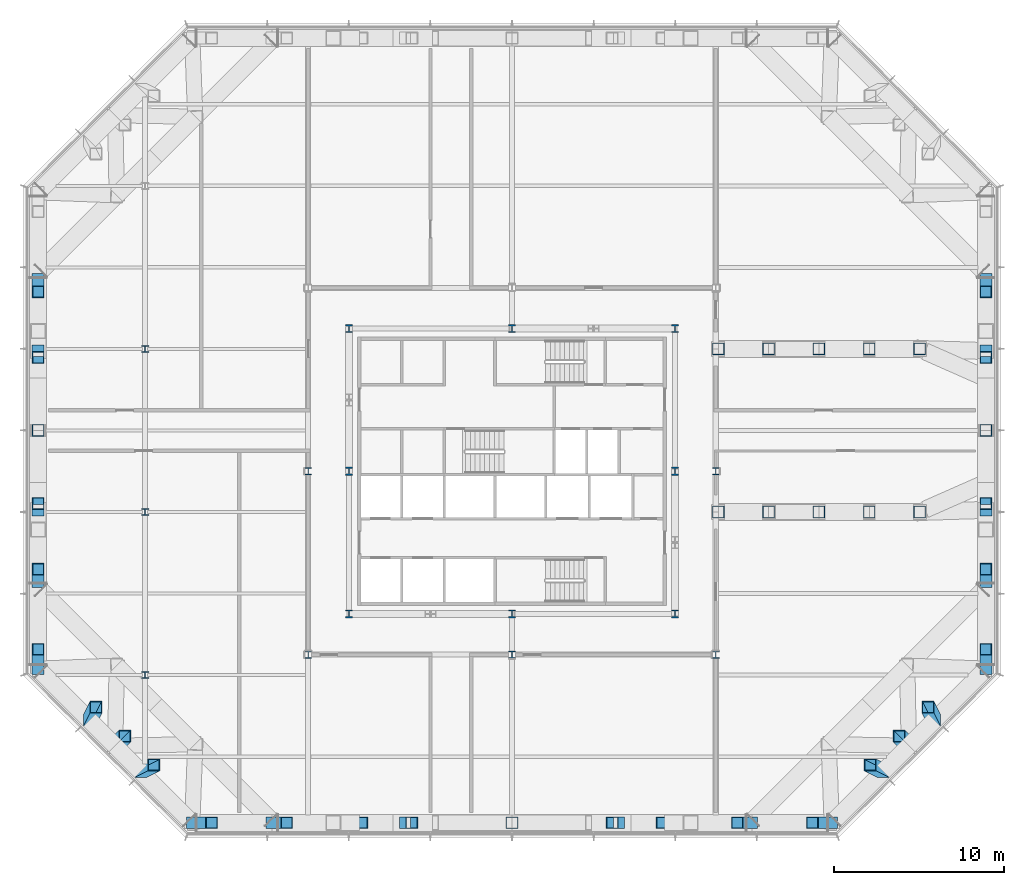
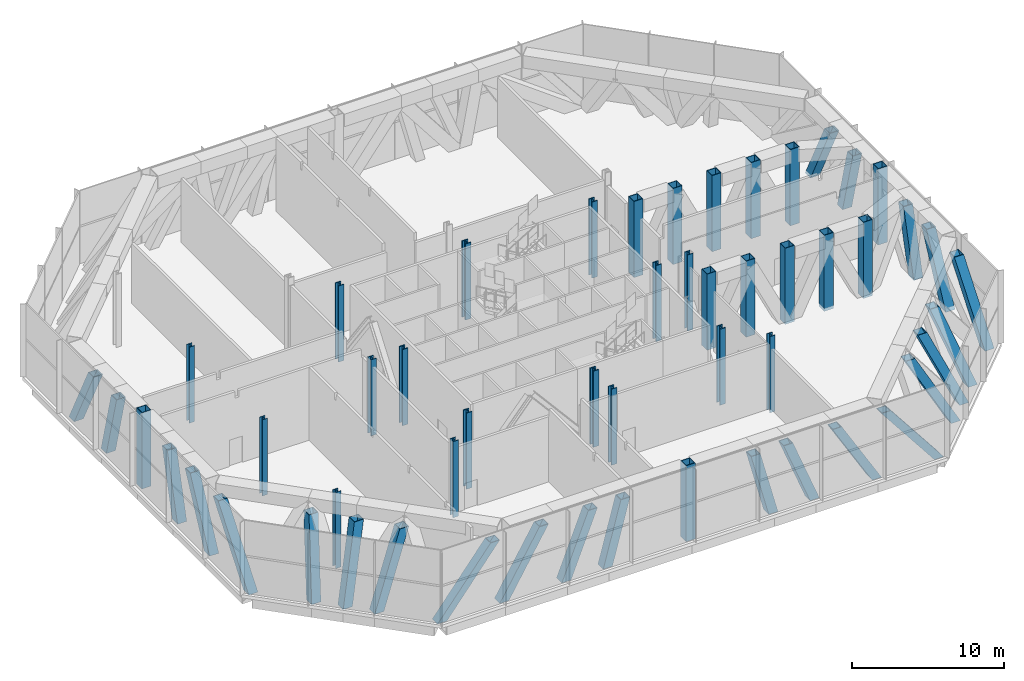
# One storey, part 1 of 17: 53 columns.
"""IFC4 building model written with IfcOpenShell, lengths in metres."""

from ifc_helpers import new_model, si_unit, direction, frame, origin, origin_2d, place, context, subcontext, project, spatial, hollow_rectangle, i_section, extrude, clip, halfspace, material, material_profile, profile_set, type_object, element, save


model = new_model("IFC4")

# Units and contexts
model_context = context("Model", 3, precision=1e-05, world=origin(), true_north=direction((0.0, 1.0)))
body_context = subcontext(model_context, "Body", "Model", "MODEL_VIEW")
ifc_project = project(units=[si_unit("LENGTHUNIT", "METRE"), si_unit("AREAUNIT", "SQUARE_METRE"), si_unit("VOLUMEUNIT", "CUBIC_METRE"), si_unit("PLANEANGLEUNIT", "RADIAN"), si_unit("MASSUNIT", "GRAM", prefix="KILO")], contexts=[model_context])

# Site, building, storey
site_placement = place(None, origin())
site = spatial("IfcSite", under=ifc_project, at=site_placement, CompositionType="ELEMENT")
building_placement = place(site_placement, origin())
building = spatial("IfcBuilding", under=site, at=building_placement, Name="Cairn Pilgrim Tower", CompositionType="ELEMENT")
storey_placement = place(building_placement, frame((0.0, 0.0, 119.39990234375)))
storey = spatial("IfcBuildingStorey", under=building, at=storey_placement, Name="L29", CompositionType="ELEMENT", Elevation=119.39990234375)

# Columns
ifc_material_1 = material(Name="Structural steel S460M", Category="steel")
ifc_material_profile_1 = material_profile(ifc_material_1, hollow_rectangle(XDim=0.699951171875, YDim=0.699951171875, WallThickness=0.0400390625, at=origin_2d()), Name="BOX 700x700x40")
ifc_profile_set_1 = profile_set([ifc_material_profile_1], Name="Structural steel S460M")
column_type_1 = type_object("IfcColumnType", Name="BOX 700x700x40 POST", PredefinedType="USERDEFINED", material=ifc_profile_set_1)
column_1_placement = place(storey_placement, frame((-11.627197265625, -18.300048828125, -0.25), z_axis=(0.0, 0.0, 1.0), x_axis=(1.0, 0.0, 0.0)))
element("IfcColumn", 1, at=column_1_placement, inside=storey, type_object=column_type_1, Name="BT29-S-P1", ObjectType="POST", PredefinedType="USERDEFINED", context=body_context, shape_type="Clipping", body=[
    clip(extrude(hollow_rectangle(XDim=0.699951171875, YDim=0.699951171875, WallThickness=0.0400390625, at=origin_2d()), origin(), (0.618388132259, 0.0, 0.785872838239), 7.76220703125), halfspace(frame((0.0, 0.0, 5.10009765625), z_axis=(0.0, 0.0, 1.0), x_axis=(1.0, 0.0, 0.0)), False)),
])
column_2_placement = place(storey_placement, frame((-6.92041015625, -18.300048828125, -0.25), z_axis=(0.0, 0.0, 1.0), x_axis=(1.0, 0.0, 0.0)))
element("IfcColumn", 2, at=column_2_placement, inside=storey, type_object=column_type_1, Name="BT29-S-P2", ObjectType="POST", PredefinedType="USERDEFINED", context=body_context, shape_type="Clipping", body=[
    clip(extrude(hollow_rectangle(XDim=0.699951171875, YDim=0.699951171875, WallThickness=0.0400390625, at=origin_2d()), origin(), (0.508257775322, 0.0, 0.861204989433), 7.083251953125), halfspace(frame((0.0, 0.0, 5.10009765625), z_axis=(0.0, 0.0, 1.0), x_axis=(1.0, 0.0, 0.0)), False)),
])
column_3_placement = place(storey_placement, frame((-2.213623046875, -18.300048828125, -0.25), z_axis=(0.0, 0.0, 1.0), x_axis=(1.0, 0.0, 0.0)))
element("IfcColumn", 3, at=column_3_placement, inside=storey, type_object=column_type_1, Name="BT29-S-P3", ObjectType="POST", PredefinedType="USERDEFINED", context=body_context, shape_type="Clipping", body=[
    clip(extrude(hollow_rectangle(XDim=0.699951171875, YDim=0.699951171875, WallThickness=0.0400390625, at=origin_2d()), origin(), (0.366106332628, 0.0, 0.930573024115), 6.55517578125), halfspace(frame((0.0, 0.0, 5.10009765625), z_axis=(0.0, 0.0, 1.0), x_axis=(1.0, 0.0, 0.0)), False)),
])
column_4_placement = place(storey_placement, frame((0.92431640625, -18.300048828125, -0.25), z_axis=(0.0, 0.0, 1.0), x_axis=(1.0, 0.0, 0.0)))
element("IfcColumn", 4, at=column_4_placement, inside=storey, type_object=column_type_1, Name="BT29-S-P4", ObjectType="POST", PredefinedType="USERDEFINED", context=body_context, shape_type="Clipping", body=[
    clip(extrude(hollow_rectangle(XDim=0.699951171875, YDim=0.699951171875, WallThickness=0.0400390625, at=origin_2d()), origin(), (0.253723376456, 0.0, 0.967276820894), 6.306396484375), halfspace(frame((0.0, 0.0, 5.10009765625), z_axis=(0.0, 0.0, 1.0), x_axis=(1.0, 0.0, 0.0)), False)),
])
column_5_placement = place(storey_placement, frame((7.199951171875, -18.300048828125, -0.25), z_axis=(0.0, 0.0, 1.0), x_axis=(1.0, 0.0, 0.0)))
element("IfcColumn", 5, at=column_5_placement, inside=storey, type_object=column_type_1, Name="BT29-S-P5", ObjectType="POST", PredefinedType="USERDEFINED", context=body_context, shape_type="SweptSolid", body=[
    extrude(hollow_rectangle(XDim=0.699951171875, YDim=0.699951171875, WallThickness=0.0400390625, at=origin_2d()), origin(), (0.0, 0.0, 1.0), 6.10009765625),
])
column_6_placement = place(storey_placement, frame((13.4755859375, -18.300048828125, -0.25), z_axis=(0.0, 0.0, 1.0), x_axis=(1.0, 0.0, 0.0)))
element("IfcColumn", 6, at=column_6_placement, inside=storey, type_object=column_type_1, Name="BT29-S-P6", ObjectType="POST", PredefinedType="USERDEFINED", context=body_context, shape_type="Clipping", body=[
    clip(extrude(hollow_rectangle(XDim=0.699951171875, YDim=0.699951171875, WallThickness=0.0400390625, at=origin_2d()), origin(), (-0.253687155326, 0.0, 0.967286321222), 6.306396484375), halfspace(frame((0.0, 0.0, 5.10009765625), z_axis=(0.0, 0.0, 1.0), x_axis=(1.0, 0.0, 0.0)), False)),
])
column_7_placement = place(storey_placement, frame((16.613525390625, -18.300048828125, -0.25), z_axis=(0.0, 0.0, 1.0), x_axis=(1.0, 0.0, 0.0)))
element("IfcColumn", 7, at=column_7_placement, inside=storey, type_object=column_type_1, Name="BT29-S-P7", ObjectType="POST", PredefinedType="USERDEFINED", context=body_context, shape_type="Clipping", body=[
    clip(extrude(hollow_rectangle(XDim=0.699951171875, YDim=0.699951171875, WallThickness=0.0400390625, at=origin_2d()), origin(), (-0.366106332628, 0.0, 0.930573024115), 6.55517578125), halfspace(frame((0.0, 0.0, 5.10009765625), z_axis=(0.0, 0.0, 1.0), x_axis=(1.0, 0.0, 0.0)), False)),
])
column_8_placement = place(storey_placement, frame((21.3203125, -18.300048828125, -0.25), z_axis=(0.0, 0.0, 1.0), x_axis=(1.0, 0.0, 0.0)))
element("IfcColumn", 8, at=column_8_placement, inside=storey, type_object=column_type_1, Name="BT29-S-P8", ObjectType="POST", PredefinedType="USERDEFINED", context=body_context, shape_type="Clipping", body=[
    clip(extrude(hollow_rectangle(XDim=0.699951171875, YDim=0.699951171875, WallThickness=0.0400390625, at=origin_2d()), origin(), (-0.508232210999, 0.0, 0.861220076231), 7.0830078125), halfspace(frame((0.0, 0.0, 5.10009765625), z_axis=(0.0, 0.0, 1.0), x_axis=(1.0, 0.0, 0.0)), False)),
])
column_9_placement = place(storey_placement, frame((26.027099609375, -18.300048828125, -0.25), z_axis=(0.0, 0.0, 1.0), x_axis=(1.0, 0.0, 0.0)))
element("IfcColumn", 9, at=column_9_placement, inside=storey, type_object=column_type_1, Name="BT29-SE-P1", ObjectType="POST", PredefinedType="USERDEFINED", context=body_context, shape_type="Clipping", body=[
    clip(extrude(hollow_rectangle(XDim=0.699951171875, YDim=0.699951171875, WallThickness=0.0400390625, at=origin_2d()), origin(), (-0.618368706733, 0.0, 0.78588812342), 7.761962890625), halfspace(frame((0.0, 0.0, 5.10009765625), z_axis=(0.0, 0.0, 1.0), x_axis=(1.0, 0.0, 0.0)), False)),
])
column_10_placement = place(storey_placement, frame((29.051513671875, -15.275634765625, -0.25), z_axis=(0.0, 0.0, 1.0), x_axis=(1.0, 0.0, 0.0)))
element("IfcColumn", 10, at=column_10_placement, inside=storey, type_object=column_type_1, Name="BT29-SE-P2", ObjectType="POST", PredefinedType="USERDEFINED", context=body_context, shape_type="Clipping", body=[
    clip(extrude(hollow_rectangle(XDim=0.699951171875, YDim=0.699951171875, WallThickness=0.0400390625, at=origin_2d()), origin(), (-0.452494331553, 0.226229904224, 0.862594290699), 7.07177734375), halfspace(frame((0.0, 0.0, 5.10009765625), z_axis=(0.0, 0.0, 1.0), x_axis=(1.0, 0.0, 0.0)), False)),
])
column_11_placement = place(storey_placement, frame((30.563720703125, -13.763671875, -0.25), z_axis=(0.0, 0.0, 1.0), x_axis=(1.0, 0.0, 0.0)))
element("IfcColumn", 11, at=column_11_placement, inside=storey, type_object=column_type_1, Name="BT29-SE-P3", ObjectType="POST", PredefinedType="USERDEFINED", context=body_context, shape_type="Clipping", body=[
    clip(extrude(hollow_rectangle(XDim=0.699951171875, YDim=0.699951171875, WallThickness=0.0400390625, at=origin_2d()), origin(), (-0.343817491223, 0.343817491223, 0.87383011247), 6.98095703125), halfspace(frame((0.0, 0.0, 5.10009765625), z_axis=(0.0, 0.0, 1.0), x_axis=(1.0, 0.0, 0.0)), False)),
])
column_12_placement = place(storey_placement, frame((32.07568359375, -12.25146484375, -0.25), z_axis=(0.0, 0.0, 1.0), x_axis=(1.0, 0.0, 0.0)))
element("IfcColumn", 12, at=column_12_placement, inside=storey, type_object=column_type_1, Name="BT29-SE-P4", ObjectType="POST", PredefinedType="USERDEFINED", context=body_context, shape_type="Clipping", body=[
    clip(extrude(hollow_rectangle(XDim=0.699951171875, YDim=0.699951171875, WallThickness=0.0400390625, at=origin_2d()), origin(), (-0.226262660054, 0.452490797273, 0.862587553266), 7.07177734375), halfspace(frame((0.0, 0.0, 5.10009765625), z_axis=(0.0, 0.0, 1.0), x_axis=(1.0, 0.0, 0.0)), False)),
])
column_13_placement = place(storey_placement, frame((35.10009765625, -9.227294921875, -0.25), z_axis=(0.0, 0.0, 1.0), x_axis=(1.0, 0.0, 0.0)))
element("IfcColumn", 13, at=column_13_placement, inside=storey, type_object=column_type_1, Name="BT29-E-P1", ObjectType="POST", PredefinedType="USERDEFINED", context=body_context, shape_type="Clipping", body=[
    clip(extrude(hollow_rectangle(XDim=0.699951171875, YDim=0.699951171875, WallThickness=0.0400390625, at=origin_2d()), origin(), (0.0, 0.618388132259, 0.785872838239), 7.76220703125), halfspace(frame((0.0, 0.0, 5.10009765625), z_axis=(0.0, 0.0, 1.0), x_axis=(1.0, 0.0, 0.0)), False)),
])
column_14_placement = place(storey_placement, frame((35.10009765625, -4.083984375, -0.25), z_axis=(0.0, 0.0, 1.0), x_axis=(1.0, 0.0, 0.0)))
element("IfcColumn", 14, at=column_14_placement, inside=storey, type_object=column_type_1, Name="BT29-E-P2", ObjectType="POST", PredefinedType="USERDEFINED", context=body_context, shape_type="Clipping", body=[
    clip(extrude(hollow_rectangle(XDim=0.699951171875, YDim=0.699951171875, WallThickness=0.0400390625, at=origin_2d()), origin(), (0.0, 0.446038293498, 0.895013877397), 6.815673828125), halfspace(frame((0.0, 0.0, 5.10009765625), z_axis=(0.0, 0.0, 1.0), x_axis=(1.0, 0.0, 0.0)), False)),
])
column_15_placement = place(storey_placement, frame((35.10009765625, 0.124267578125, -0.25), z_axis=(0.0, 0.0, 1.0), x_axis=(1.0, 0.0, 0.0)))
element("IfcColumn", 15, at=column_15_placement, inside=storey, type_object=column_type_1, Name="BT29-E-P3", ObjectType="POST", PredefinedType="USERDEFINED", context=body_context, shape_type="Clipping", body=[
    clip(extrude(hollow_rectangle(XDim=0.699951171875, YDim=0.699951171875, WallThickness=0.0400390625, at=origin_2d()), origin(), (0.0, 0.253723376456, 0.967276820894), 6.306396484375), halfspace(frame((0.0, 0.0, 5.10009765625), z_axis=(0.0, 0.0, 1.0), x_axis=(1.0, 0.0, 0.0)), False)),
])
column_16_placement = place(storey_placement, frame((35.10009765625, 4.800048828125, -0.25), z_axis=(0.0, 0.0, 1.0), x_axis=(1.0, 0.0, 0.0)))
element("IfcColumn", 16, at=column_16_placement, inside=storey, type_object=column_type_1, Name="BT29-E-P4", ObjectType="POST", PredefinedType="USERDEFINED", context=body_context, shape_type="SweptSolid", body=[
    extrude(hollow_rectangle(XDim=0.699951171875, YDim=0.699951171875, WallThickness=0.0400390625, at=origin_2d()), origin(), (0.0, 0.0, 1.0), 6.10009765625),
])
column_17_placement = place(storey_placement, frame((35.10009765625, 9.4755859375, -0.25), z_axis=(0.0, 0.0, 1.0), x_axis=(1.0, 0.0, 0.0)))
element("IfcColumn", 17, at=column_17_placement, inside=storey, type_object=column_type_1, Name="BT29-E-P5", ObjectType="POST", PredefinedType="USERDEFINED", context=body_context, shape_type="Clipping", body=[
    clip(extrude(hollow_rectangle(XDim=0.699951171875, YDim=0.699951171875, WallThickness=0.0400390625, at=origin_2d()), origin(), (0.0, -0.253687155326, 0.967286321222), 6.306396484375), halfspace(frame((0.0, 0.0, 5.10009765625), z_axis=(0.0, 0.0, 1.0), x_axis=(1.0, 0.0, 0.0)), False)),
])
for number, where, z_axis, x_axis, name in (
    (18, (35.10009765625, 13.683837890625, -0.25), (0.0, 0.0, 1.0), (1.0, 0.0, 0.0), "BT29-E-P6"),
    (19, (-20.699951171875, 13.683837890625, -0.25), (0.0, 0.0, 1.0), (1.0, 0.0, 0.0), "BT29-W-P2"),
):
    element("IfcColumn", number, at=place(storey_placement, frame(where, z_axis=z_axis, x_axis=x_axis)), inside=storey, type_object=column_type_1, Name=name, ObjectType="POST", PredefinedType="USERDEFINED", context=body_context, shape_type="Clipping", body=[
        clip(extrude(hollow_rectangle(XDim=0.699951171875, YDim=0.699951171875, WallThickness=0.0400390625, at=origin_2d()), origin(), (0.0, -0.446038293498, 0.895013877397), 6.815673828125), halfspace(frame((0.0, 0.0, 5.10009765625), z_axis=(0.0, 0.0, 1.0), x_axis=(1.0, 0.0, 0.0)), False)),
    ])
column_18_placement = place(storey_placement, frame((-20.699951171875, 9.4755859375, -0.25), z_axis=(0.0, 0.0, 1.0), x_axis=(1.0, 0.0, 0.0)))
element("IfcColumn", 20, at=column_18_placement, inside=storey, type_object=column_type_1, Name="BT29-W-P3", ObjectType="POST", PredefinedType="USERDEFINED", context=body_context, shape_type="Clipping", body=[
    clip(extrude(hollow_rectangle(XDim=0.699951171875, YDim=0.699951171875, WallThickness=0.0400390625, at=origin_2d()), origin(), (0.0, -0.253687155326, 0.967286321222), 6.306396484375), halfspace(frame((0.0, 0.0, 5.10009765625), z_axis=(0.0, 0.0, 1.0), x_axis=(1.0, 0.0, 0.0)), False)),
])
column_19_placement = place(storey_placement, frame((-20.699951171875, 4.800048828125, -0.25), z_axis=(0.0, 0.0, 1.0), x_axis=(1.0, 0.0, 0.0)))
element("IfcColumn", 21, at=column_19_placement, inside=storey, type_object=column_type_1, Name="BT29-W-P4", ObjectType="POST", PredefinedType="USERDEFINED", context=body_context, shape_type="SweptSolid", body=[
    extrude(hollow_rectangle(XDim=0.699951171875, YDim=0.699951171875, WallThickness=0.0400390625, at=origin_2d()), origin(), (0.0, 0.0, 1.0), 6.10009765625),
])
column_20_placement = place(storey_placement, frame((-20.699951171875, 0.124267578125, -0.25), z_axis=(0.0, 0.0, 1.0), x_axis=(1.0, 0.0, 0.0)))
element("IfcColumn", 22, at=column_20_placement, inside=storey, type_object=column_type_1, Name="BT29-W-P5", ObjectType="POST", PredefinedType="USERDEFINED", context=body_context, shape_type="Clipping", body=[
    clip(extrude(hollow_rectangle(XDim=0.699951171875, YDim=0.699951171875, WallThickness=0.0400390625, at=origin_2d()), origin(), (0.0, 0.253723376456, 0.967276820894), 6.306396484375), halfspace(frame((0.0, 0.0, 5.10009765625), z_axis=(0.0, 0.0, 1.0), x_axis=(1.0, 0.0, 0.0)), False)),
])
column_21_placement = place(storey_placement, frame((-20.699951171875, -4.083984375, -0.25), z_axis=(0.0, 0.0, 1.0), x_axis=(1.0, 0.0, 0.0)))
element("IfcColumn", 23, at=column_21_placement, inside=storey, type_object=column_type_1, Name="BT29-W-P6", ObjectType="POST", PredefinedType="USERDEFINED", context=body_context, shape_type="Clipping", body=[
    clip(extrude(hollow_rectangle(XDim=0.699951171875, YDim=0.699951171875, WallThickness=0.0400390625, at=origin_2d()), origin(), (0.0, 0.446038293498, 0.895013877397), 6.815673828125), halfspace(frame((0.0, 0.0, 5.10009765625), z_axis=(0.0, 0.0, 1.0), x_axis=(1.0, 0.0, 0.0)), False)),
])
column_22_placement = place(storey_placement, frame((-20.699951171875, -9.227294921875, -0.25), z_axis=(0.0, 0.0, 1.0), x_axis=(1.0, 0.0, 0.0)))
element("IfcColumn", 24, at=column_22_placement, inside=storey, type_object=column_type_1, Name="BT29-SW-P1", ObjectType="POST", PredefinedType="USERDEFINED", context=body_context, shape_type="Clipping", body=[
    clip(extrude(hollow_rectangle(XDim=0.699951171875, YDim=0.699951171875, WallThickness=0.0400390625, at=origin_2d()), origin(), (0.0, 0.618388132259, 0.785872838239), 7.76220703125), halfspace(frame((0.0, 0.0, 5.10009765625), z_axis=(0.0, 0.0, 1.0), x_axis=(1.0, 0.0, 0.0)), False)),
])
column_23_placement = place(storey_placement, frame((-17.67578125, -12.25146484375, -0.25), z_axis=(0.0, 0.0, 1.0), x_axis=(1.0, 0.0, 0.0)))
element("IfcColumn", 25, at=column_23_placement, inside=storey, type_object=column_type_1, Name="BT29-SW-P2", ObjectType="POST", PredefinedType="USERDEFINED", context=body_context, shape_type="Clipping", body=[
    clip(extrude(hollow_rectangle(XDim=0.699951171875, YDim=0.699951171875, WallThickness=0.0400390625, at=origin_2d()), origin(), (0.226262660054, 0.452490797273, 0.862587553266), 7.07177734375), halfspace(frame((0.0, 0.0, 5.10009765625), z_axis=(0.0, 0.0, 1.0), x_axis=(1.0, 0.0, 0.0)), False)),
])
column_24_placement = place(storey_placement, frame((-16.16357421875, -13.763671875, -0.25), z_axis=(0.0, 0.0, 1.0), x_axis=(1.0, 0.0, 0.0)))
element("IfcColumn", 26, at=column_24_placement, inside=storey, type_object=column_type_1, Name="BT29-SW-P3", ObjectType="POST", PredefinedType="USERDEFINED", context=body_context, shape_type="Clipping", body=[
    clip(extrude(hollow_rectangle(XDim=0.699951171875, YDim=0.699951171875, WallThickness=0.0400390625, at=origin_2d()), origin(), (0.343786652027, 0.343821625237, 0.873840619282), 6.980712890625), halfspace(frame((0.0, 0.0, 5.10009765625), z_axis=(0.0, 0.0, 1.0), x_axis=(1.0, 0.0, 0.0)), False)),
])
column_25_placement = place(storey_placement, frame((-14.651611328125, -15.275634765625, -0.25), z_axis=(0.0, 0.0, 1.0), x_axis=(1.0, 0.0, 0.0)))
element("IfcColumn", 27, at=column_25_placement, inside=storey, type_object=column_type_1, Name="BT29-SW-P4", ObjectType="POST", PredefinedType="USERDEFINED", context=body_context, shape_type="Clipping", body=[
    clip(extrude(hollow_rectangle(XDim=0.699951171875, YDim=0.699951171875, WallThickness=0.0400390625, at=origin_2d()), origin(), (0.45252178537, 0.22622637012, 0.862580815476), 7.072021484375), halfspace(frame((0.0, 0.0, 5.10009765625), z_axis=(0.0, 0.0, 1.0), x_axis=(1.0, 0.0, 0.0)), False)),
])
for number, where, z_axis, x_axis, name in (
    (28, (19.35009765625, 0.0, -0.25), (0.0, 0.0, 1.0), (1.0, 0.0, 0.0), "TT29N0-P1"),
    (29, (22.3125, 0.0, -0.25), (0.0, 0.0, 1.0), (1.0, 0.0, 0.0), "TT29N0-P2"),
    (30, (25.27490234375, 0.0, -0.25), (0.0, 0.0, 1.0), (1.0, 0.0, 0.0), "TT29N0-P3"),
    (31, (28.237548828125, 0.0, -0.25), (0.0, 0.0, 1.0), (1.0, 0.0, 0.0), "TT29N0-P4"),
    (32, (31.199951171875, 0.0, -0.25), (0.0, 0.0, 1.0), (1.0, 0.0, 0.0), "TT29N0-P5"),
    (33, (19.35009765625, 9.60009765625, -0.25), (0.0, 0.0, 1.0), (1.0, 0.0, 0.0), "TT29N96-P1"),
    (34, (22.3125, 9.60009765625, -0.25), (0.0, 0.0, 1.0), (1.0, 0.0, 0.0), "TT29N96-P2"),
    (35, (25.27490234375, 9.60009765625, -0.25), (0.0, 0.0, 1.0), (1.0, 0.0, 0.0), "TT29N96-P3"),
    (36, (28.237548828125, 9.60009765625, -0.25), (0.0, 0.0, 1.0), (1.0, 0.0, 0.0), "TT29N96-P4"),
    (37, (31.199951171875, 9.60009765625, -0.25), (0.0, 0.0, 1.0), (1.0, 0.0, 0.0), "TT29N96-P5"),
):
    element("IfcColumn", number, at=place(storey_placement, frame(where, z_axis=z_axis, x_axis=x_axis)), inside=storey, type_object=column_type_1, Name=name, ObjectType="POST", PredefinedType="USERDEFINED", context=body_context, shape_type="SweptSolid", body=[
        extrude(hollow_rectangle(XDim=0.699951171875, YDim=0.699951171875, WallThickness=0.0400390625, at=origin_2d()), origin(), (0.0, 0.0, 1.0), 6.10009765625),
    ])
ifc_material_2 = material(Name="Structural steel S355J2", Category="steel")
ifc_material_profile_2 = material_profile(ifc_material_2, i_section(OverallWidth=0.39892578125, OverallDepth=0.39306640625, WebThickness=0.022705078125, FlangeThickness=0.03662109375, FilletRadius=0.014892578125, at=origin_2d()), Name="HD 400x287")
ifc_profile_set_2 = profile_set([ifc_material_profile_2], Name="Structural steel S355J2")
column_type_2 = type_object("IfcColumnType", Name="HD 400x287", PredefinedType="COLUMN", material=ifc_profile_set_2)
for number, where, z_axis, x_axis, name in (
    (38, (-14.39990234375, -9.60009765625, -0.25), (0.0, 0.0, 1.0), (1.0, 0.0, 0.0), "WC-WW-2"),
    (39, (-14.39990234375, 0.0, -0.25), (0.0, 0.0, 1.0), (1.0, 0.0, 0.0), "WC-WW+0"),
    (40, (-14.39990234375, 9.60009765625, -0.25), (0.0, 0.0, 1.0), (1.0, 0.0, 0.0), "WC-WW+2"),
):
    element("IfcColumn", number, at=place(storey_placement, frame(where, z_axis=z_axis, x_axis=x_axis)), inside=storey, type_object=column_type_2, Name=name, PredefinedType="COLUMN", context=body_context, shape_type="SweptSolid", body=[
        extrude(i_section(OverallWidth=0.39892578125, OverallDepth=0.39306640625, WebThickness=0.022705078125, FlangeThickness=0.03662109375, FilletRadius=0.014892578125, at=origin_2d()), origin(), (0.0, 0.0, 1.0), 6.10009765625),
    ])
ifc_material_profile_3 = material_profile(ifc_material_1, i_section(OverallWidth=0.408935546875, OverallDepth=0.425048828125, WebThickness=0.03271484375, FlangeThickness=0.052490234375, FilletRadius=0.014892578125, at=origin_2d()), Name="HD 400x421")
ifc_profile_set_3 = profile_set([ifc_material_profile_3], Name="Structural steel S460M")
column_type_3 = type_object("IfcColumnType", Name="HD 400x421", PredefinedType="COLUMN", material=ifc_profile_set_3)
for number, where, z_axis, x_axis, name in (
    (41, (-4.800048828125, -8.39990234375, -0.25), (0.0, 0.0, 1.0), (1.0, 0.0, 0.0), "IC-1"),
    (42, (7.199951171875, -8.39990234375, -0.25), (0.0, 0.0, 1.0), (1.0, 0.0, 0.0), "IC-2"),
    (43, (19.199951171875, -8.39990234375, -0.25), (0.0, 0.0, 1.0), (1.0, 0.0, 0.0), "IC-3"),
    (44, (-4.800048828125, 2.39990234375, -0.25), (0.0, 0.0, 1.0), (1.0, 0.0, 0.0), "IC-4"),
    (45, (19.199951171875, 2.39990234375, -0.25), (0.0, 0.0, 1.0), (1.0, 0.0, 0.0), "IC-5"),
):
    element("IfcColumn", number, at=place(storey_placement, frame(where, z_axis=z_axis, x_axis=x_axis)), inside=storey, type_object=column_type_3, Name=name, PredefinedType="COLUMN", context=body_context, shape_type="SweptSolid", body=[
        extrude(i_section(OverallWidth=0.408935546875, OverallDepth=0.425048828125, WebThickness=0.03271484375, FlangeThickness=0.052490234375, FilletRadius=0.014892578125, at=origin_2d()), origin(), (0.0, 0.0, 1.0), 6.10009765625),
    ])
ifc_material_profile_4 = material_profile(ifc_material_1, i_section(OverallWidth=0.424072265625, OverallDepth=0.47412109375, WebThickness=0.047607421875, FlangeThickness=0.0771484375, FilletRadius=0.014892578125, at=origin_2d()), Name="HD 400x634")
ifc_profile_set_4 = profile_set([ifc_material_profile_4], Name="Structural steel S460M")
column_type_4 = type_object("IfcColumnType", Name="HD 400x634", PredefinedType="COLUMN", material=ifc_profile_set_4)
for number, where, z_axis, x_axis, name in (
    (46, (-2.39990234375, -6.0, -0.25), (0.0, 0.0, 1.0), (1.0, 0.0, 0.0), "KC-1"),
    (47, (7.199951171875, -6.0, -0.25), (0.0, 0.0, 1.0), (1.0, 0.0, 0.0), "KC-2"),
    (48, (16.800048828125, -6.0, -0.25), (0.0, 0.0, 1.0), (1.0, 0.0, 0.0), "KC-3"),
    (49, (-2.39990234375, 2.39990234375, -0.25), (0.0, 0.0, 1.0), (1.0, 0.0, 0.0), "KC-4"),
    (50, (16.800048828125, 2.39990234375, -0.25), (0.0, 0.0, 1.0), (1.0, 0.0, 0.0), "KC-5"),
    (51, (-2.39990234375, 10.800048828125, -0.25), (0.0, 0.0, 1.0), (1.0, 0.0, 0.0), "KC-6"),
    (52, (7.199951171875, 10.800048828125, -0.25), (0.0, 0.0, 1.0), (1.0, 0.0, 0.0), "KC-7"),
    (53, (16.800048828125, 10.800048828125, -0.25), (0.0, 0.0, 1.0), (1.0, 0.0, 0.0), "KC-8"),
):
    element("IfcColumn", number, at=place(storey_placement, frame(where, z_axis=z_axis, x_axis=x_axis)), inside=storey, type_object=column_type_4, Name=name, PredefinedType="COLUMN", context=body_context, shape_type="SweptSolid", body=[
        extrude(i_section(OverallWidth=0.424072265625, OverallDepth=0.47412109375, WebThickness=0.047607421875, FlangeThickness=0.0771484375, FilletRadius=0.014892578125, at=origin_2d()), origin(), (0.0, 0.0, 1.0), 6.10009765625),
    ])

save(model, "model.ifc")
